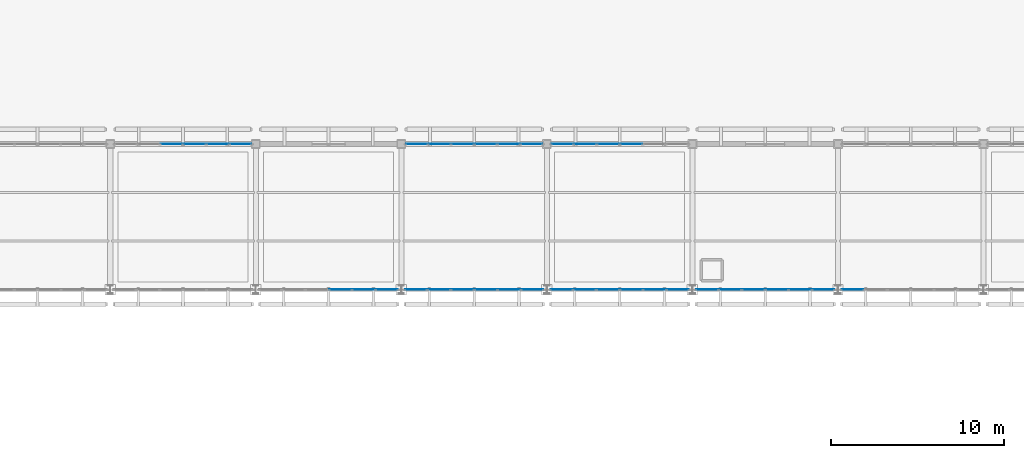
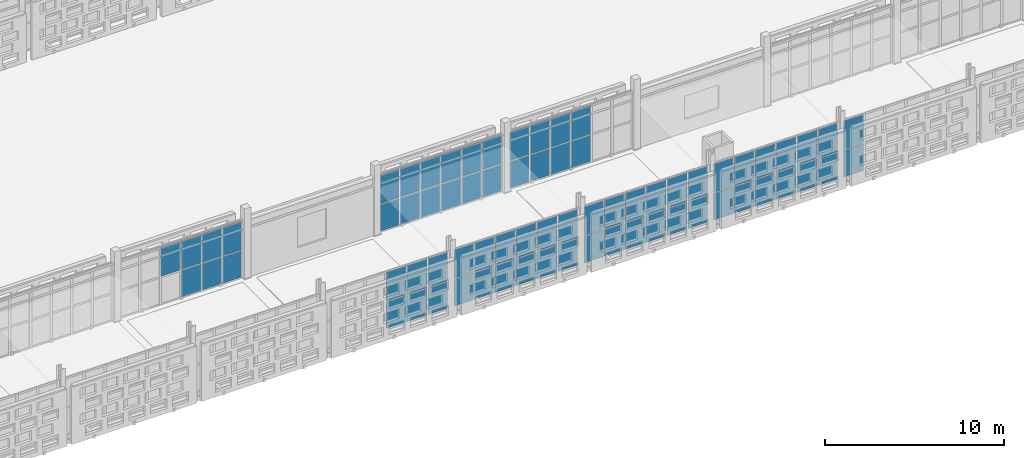
# One storey, part 98 of 203: 71 plates, 8 elements without a shape of their own.
"""IFC4 building model written with IfcOpenShell, lengths in metres."""

from ifc_helpers import new_model, si_unit, direction, frame, origin, origin_2d, place, context, subcontext, project, spatial, rectangle, extrude, material, layer, layer_set, type_object, element, aggregate, save


model = new_model("IFC4")

# Units and contexts
model_context = context("Model", 3, precision=1e-05, world=origin(), true_north=direction((0.0, 1.0)))
body_context = subcontext(model_context, "Body", "Model", "MODEL_VIEW")
ifc_project = project(units=[si_unit("LENGTHUNIT", "METRE"), si_unit("AREAUNIT", "SQUARE_METRE"), si_unit("VOLUMEUNIT", "CUBIC_METRE"), si_unit("PLANEANGLEUNIT", "RADIAN"), si_unit("MASSUNIT", "GRAM", prefix="KILO")], contexts=[model_context])

# Site, building, storey
site_placement = place(None, origin())
site = spatial("IfcSite", under=ifc_project, at=site_placement, CompositionType="ELEMENT")
building_placement = place(site_placement, origin())
building = spatial("IfcBuilding", under=site, at=building_placement, Name="Varnapada Polytechnic", CompositionType="ELEMENT")
storey_placement = place(building_placement, frame((0.0, 0.0, 4.800048828125)))
storey = spatial("IfcBuildingStorey", under=building, at=storey_placement, Name="L01", CompositionType="ELEMENT", Elevation=4.800048828125)

# Curtain wall, plates
ifc_material = material(Name="Double low-E laminated glass", Category="glass")
ifc_layer_1 = layer(ifc_material, 0.159912109375)
ifc_layer_set_1 = layer_set([ifc_layer_1], Name="Double low-E laminated glass")
curtain_wall_type_1 = type_object("IfcCurtainWallType", Name="Curtain Wall CW-02", PredefinedType="NOTDEFINED", material=ifc_layer_set_1)
curtain_wall_1_placement = place(storey_placement, origin())
curtain_wall_1 = element("IfcCurtainWall", 1, at=curtain_wall_1_placement, inside=storey, type_object=curtain_wall_type_1, Name="L01 unitised curtain wall CW-02 (63)", PredefinedType="NOTDEFINED")
ifc_layer_2 = layer(ifc_material, 0.028076171875)
ifc_layer_set_2 = layer_set([ifc_layer_2], Name="Double low-E laminated glass")
plate_type = type_object("IfcPlateType", Name="Curtain Panel PNL-01", PredefinedType="CURTAIN_PANEL", material=ifc_layer_set_2)
plate_1_placement = place(storey_placement, frame((70.735107421875, 92.39990234375, 1.9306640625), z_axis=(0.0, 0.0, 1.0), x_axis=(1.0, 0.0, 0.0)))
plate_1 = element("IfcPlate", 2, at=plate_1_placement, type_object=plate_type, Name="CW-02 panel 3.2", PredefinedType="CURTAIN_PANEL", context=body_context, shape_type="SweptSolid", body=[
    extrude(rectangle(XDim=1.27001953125, YDim=0.028076171875, at=origin_2d()), origin(), (0.0, 0.0, 1.0), 1.96923828125),
])
plate_2_placement = place(storey_placement, frame((72.06494140625, 92.39990234375, 0.06005859375), z_axis=(0.0, 0.0, 1.0), x_axis=(1.0, 0.0, 0.0)))
plate_2 = element("IfcPlate", 3, at=plate_2_placement, type_object=plate_type, Name="CW-02 panel 4.1", PredefinedType="CURTAIN_PANEL", context=body_context, shape_type="SweptSolid", body=[
    extrude(rectangle(XDim=1.27001953125, YDim=0.028076171875, at=origin_2d()), origin(), (0.0, 0.0, 1.0), 1.810791015625),
])
plate_3_placement = place(storey_placement, frame((72.06494140625, 92.39990234375, 1.9306640625), z_axis=(0.0, 0.0, 1.0), x_axis=(1.0, 0.0, 0.0)))
plate_3 = element("IfcPlate", 4, at=plate_3_placement, type_object=plate_type, Name="CW-02 panel 4.2", PredefinedType="CURTAIN_PANEL", context=body_context, shape_type="SweptSolid", body=[
    extrude(rectangle(XDim=1.27001953125, YDim=0.028076171875, at=origin_2d()), origin(), (0.0, 0.0, 1.0), 1.96923828125),
])
plate_4_placement = place(storey_placement, frame((73.39501953125, 92.39990234375, 0.06005859375), z_axis=(0.0, 0.0, 1.0), x_axis=(1.0, 0.0, 0.0)))
plate_4 = element("IfcPlate", 5, at=plate_4_placement, type_object=plate_type, Name="CW-02 panel 5.1", PredefinedType="CURTAIN_PANEL", context=body_context, shape_type="SweptSolid", body=[
    extrude(rectangle(XDim=1.27001953125, YDim=0.028076171875, at=origin_2d()), origin(), (0.0, 0.0, 1.0), 1.810791015625),
])
plate_5_placement = place(storey_placement, frame((73.39501953125, 92.39990234375, 1.9306640625), z_axis=(0.0, 0.0, 1.0), x_axis=(1.0, 0.0, 0.0)))
plate_5 = element("IfcPlate", 6, at=plate_5_placement, type_object=plate_type, Name="CW-02 panel 5.2", PredefinedType="CURTAIN_PANEL", context=body_context, shape_type="SweptSolid", body=[
    extrude(rectangle(XDim=1.27001953125, YDim=0.028076171875, at=origin_2d()), origin(), (0.0, 0.0, 1.0), 1.96923828125),
])
plate_6_placement = place(storey_placement, frame((74.7099609375, 92.39990234375, 0.06005859375), z_axis=(0.0, 0.0, 1.0), x_axis=(1.0, 0.0, 0.0)))
plate_6 = element("IfcPlate", 7, at=plate_6_placement, type_object=plate_type, Name="CW-02 panel 6.1", PredefinedType="CURTAIN_PANEL", context=body_context, shape_type="SweptSolid", body=[
    extrude(rectangle(XDim=1.239990234375, YDim=0.028076171875, at=origin_2d()), origin(), (0.0, 0.0, 1.0), 1.810791015625),
])
plate_7_placement = place(storey_placement, frame((74.7099609375, 92.39990234375, 1.9306640625), z_axis=(0.0, 0.0, 1.0), x_axis=(1.0, 0.0, 0.0)))
plate_7 = element("IfcPlate", 8, at=plate_7_placement, type_object=plate_type, Name="CW-02 panel 6.2", PredefinedType="CURTAIN_PANEL", context=body_context, shape_type="SweptSolid", body=[
    extrude(rectangle(XDim=1.239990234375, YDim=0.028076171875, at=origin_2d()), origin(), (0.0, 0.0, 1.0), 1.96923828125),
])
aggregate(curtain_wall_1, [plate_1, plate_2, plate_3, plate_4, plate_5, plate_6, plate_7])

ifc_layer_3 = layer(ifc_material, 0.159912109375)
ifc_layer_set_3 = layer_set([ifc_layer_3], Name="Double low-E laminated glass")
curtain_wall_type_2 = type_object("IfcCurtainWallType", Name="Curtain Wall CW-01", PredefinedType="NOTDEFINED", material=ifc_layer_set_3)
curtain_wall_2_placement = place(storey_placement, origin())
curtain_wall_2 = element("IfcCurtainWall", 9, at=curtain_wall_2_placement, inside=storey, type_object=curtain_wall_type_2, Name="L01 unitised curtain wall CW-01 (66)", PredefinedType="NOTDEFINED")
plate_8_placement = place(storey_placement, frame((83.159912109375, 84.0, 0.06005859375), z_axis=(0.0, 0.0, 1.0), x_axis=(-1.0, 0.0, 0.0)))
plate_8 = element("IfcPlate", 10, at=plate_8_placement, type_object=plate_type, Name="CW-01 panel 1.1", PredefinedType="CURTAIN_PANEL", context=body_context, shape_type="SweptSolid", body=[
    extrude(rectangle(XDim=1.260009765625, YDim=0.028076171875, at=origin_2d()), origin(), (0.0, 0.0, 1.0), 1.810791015625),
])
plate_9_placement = place(storey_placement, frame((83.159912109375, 84.0, 1.9306640625), z_axis=(0.0, 0.0, 1.0), x_axis=(-1.0, 0.0, 0.0)))
plate_9 = element("IfcPlate", 11, at=plate_9_placement, type_object=plate_type, Name="CW-01 panel 1.2", PredefinedType="CURTAIN_PANEL", context=body_context, shape_type="SweptSolid", body=[
    extrude(rectangle(XDim=1.260009765625, YDim=0.028076171875, at=origin_2d()), origin(), (0.0, 0.0, 1.0), 1.96923828125),
])
plate_10_placement = place(storey_placement, frame((81.824951171875, 84.0, 0.06005859375), z_axis=(0.0, 0.0, 1.0), x_axis=(-1.0, 0.0, 0.0)))
plate_10 = element("IfcPlate", 12, at=plate_10_placement, type_object=plate_type, Name="CW-01 panel 2.1", PredefinedType="CURTAIN_PANEL", context=body_context, shape_type="SweptSolid", body=[
    extrude(rectangle(XDim=1.2900390625, YDim=0.028076171875, at=origin_2d()), origin(), (0.0, 0.0, 1.0), 1.810791015625),
])
plate_11_placement = place(storey_placement, frame((81.824951171875, 84.0, 1.9306640625), z_axis=(0.0, 0.0, 1.0), x_axis=(-1.0, 0.0, 0.0)))
plate_11 = element("IfcPlate", 13, at=plate_11_placement, type_object=plate_type, Name="CW-01 panel 2.2", PredefinedType="CURTAIN_PANEL", context=body_context, shape_type="SweptSolid", body=[
    extrude(rectangle(XDim=1.2900390625, YDim=0.028076171875, at=origin_2d()), origin(), (0.0, 0.0, 1.0), 1.96923828125),
])
plate_12_placement = place(storey_placement, frame((80.47509765625, 84.0, 0.06005859375), z_axis=(0.0, 0.0, 1.0), x_axis=(-1.0, 0.0, 0.0)))
plate_12 = element("IfcPlate", 14, at=plate_12_placement, type_object=plate_type, Name="CW-01 panel 3.1", PredefinedType="CURTAIN_PANEL", context=body_context, shape_type="SweptSolid", body=[
    extrude(rectangle(XDim=1.2900390625, YDim=0.028076171875, at=origin_2d()), origin(), (0.0, 0.0, 1.0), 1.810791015625),
])
plate_13_placement = place(storey_placement, frame((80.47509765625, 84.0, 1.9306640625), z_axis=(0.0, 0.0, 1.0), x_axis=(-1.0, 0.0, 0.0)))
plate_13 = element("IfcPlate", 15, at=plate_13_placement, type_object=plate_type, Name="CW-01 panel 3.2", PredefinedType="CURTAIN_PANEL", context=body_context, shape_type="SweptSolid", body=[
    extrude(rectangle(XDim=1.2900390625, YDim=0.028076171875, at=origin_2d()), origin(), (0.0, 0.0, 1.0), 1.96923828125),
])
aggregate(curtain_wall_2, [plate_8, plate_9, plate_10, plate_11, plate_12, plate_13])

curtain_wall_3_placement = place(storey_placement, origin())
curtain_wall_3 = element("IfcCurtainWall", 16, at=curtain_wall_3_placement, inside=storey, type_object=curtain_wall_type_2, Name="L01 unitised curtain wall CW-01 (71)", PredefinedType="NOTDEFINED")
plate_14_placement = place(storey_placement, frame((91.56005859375, 84.0, 0.06005859375), z_axis=(0.0, 0.0, 1.0), x_axis=(-1.0, 0.0, 0.0)))
plate_14 = element("IfcPlate", 17, at=plate_14_placement, type_object=plate_type, Name="CW-01 panel 1.1", PredefinedType="CURTAIN_PANEL", context=body_context, shape_type="SweptSolid", body=[
    extrude(rectangle(XDim=1.260009765625, YDim=0.028076171875, at=origin_2d()), origin(), (0.0, 0.0, 1.0), 1.810791015625),
])
plate_15_placement = place(storey_placement, frame((91.56005859375, 84.0, 1.9306640625), z_axis=(0.0, 0.0, 1.0), x_axis=(-1.0, 0.0, 0.0)))
plate_15 = element("IfcPlate", 18, at=plate_15_placement, type_object=plate_type, Name="CW-01 panel 1.2", PredefinedType="CURTAIN_PANEL", context=body_context, shape_type="SweptSolid", body=[
    extrude(rectangle(XDim=1.260009765625, YDim=0.028076171875, at=origin_2d()), origin(), (0.0, 0.0, 1.0), 1.96923828125),
])
plate_16_placement = place(storey_placement, frame((90.22509765625, 84.0, 0.06005859375), z_axis=(0.0, 0.0, 1.0), x_axis=(-1.0, 0.0, 0.0)))
plate_16 = element("IfcPlate", 19, at=plate_16_placement, type_object=plate_type, Name="CW-01 panel 2.1", PredefinedType="CURTAIN_PANEL", context=body_context, shape_type="SweptSolid", body=[
    extrude(rectangle(XDim=1.2900390625, YDim=0.028076171875, at=origin_2d()), origin(), (0.0, 0.0, 1.0), 1.810791015625),
])
plate_17_placement = place(storey_placement, frame((90.22509765625, 84.0, 1.9306640625), z_axis=(0.0, 0.0, 1.0), x_axis=(-1.0, 0.0, 0.0)))
plate_17 = element("IfcPlate", 20, at=plate_17_placement, type_object=plate_type, Name="CW-01 panel 2.2", PredefinedType="CURTAIN_PANEL", context=body_context, shape_type="SweptSolid", body=[
    extrude(rectangle(XDim=1.2900390625, YDim=0.028076171875, at=origin_2d()), origin(), (0.0, 0.0, 1.0), 1.96923828125),
])
plate_18_placement = place(storey_placement, frame((88.875, 84.0, 0.06005859375), z_axis=(0.0, 0.0, 1.0), x_axis=(-1.0, 0.0, 0.0)))
plate_18 = element("IfcPlate", 21, at=plate_18_placement, type_object=plate_type, Name="CW-01 panel 3.1", PredefinedType="CURTAIN_PANEL", context=body_context, shape_type="SweptSolid", body=[
    extrude(rectangle(XDim=1.2900390625, YDim=0.028076171875, at=origin_2d()), origin(), (0.0, 0.0, 1.0), 1.810791015625),
])
plate_19_placement = place(storey_placement, frame((88.875, 84.0, 1.9306640625), z_axis=(0.0, 0.0, 1.0), x_axis=(-1.0, 0.0, 0.0)))
plate_19 = element("IfcPlate", 22, at=plate_19_placement, type_object=plate_type, Name="CW-01 panel 3.2", PredefinedType="CURTAIN_PANEL", context=body_context, shape_type="SweptSolid", body=[
    extrude(rectangle(XDim=1.2900390625, YDim=0.028076171875, at=origin_2d()), origin(), (0.0, 0.0, 1.0), 1.96923828125),
])
plate_20_placement = place(storey_placement, frame((87.52490234375, 84.0, 0.06005859375), z_axis=(0.0, 0.0, 1.0), x_axis=(-1.0, 0.0, 0.0)))
plate_20 = element("IfcPlate", 23, at=plate_20_placement, type_object=plate_type, Name="CW-01 panel 4.1", PredefinedType="CURTAIN_PANEL", context=body_context, shape_type="SweptSolid", body=[
    extrude(rectangle(XDim=1.2900390625, YDim=0.028076171875, at=origin_2d()), origin(), (0.0, 0.0, 1.0), 1.810791015625),
])
plate_21_placement = place(storey_placement, frame((87.52490234375, 84.0, 1.9306640625), z_axis=(0.0, 0.0, 1.0), x_axis=(-1.0, 0.0, 0.0)))
plate_21 = element("IfcPlate", 24, at=plate_21_placement, type_object=plate_type, Name="CW-01 panel 4.2", PredefinedType="CURTAIN_PANEL", context=body_context, shape_type="SweptSolid", body=[
    extrude(rectangle(XDim=1.2900390625, YDim=0.028076171875, at=origin_2d()), origin(), (0.0, 0.0, 1.0), 1.96923828125),
])
plate_22_placement = place(storey_placement, frame((86.175048828125, 84.0, 0.06005859375), z_axis=(0.0, 0.0, 1.0), x_axis=(-1.0, 0.0, 0.0)))
plate_22 = element("IfcPlate", 25, at=plate_22_placement, type_object=plate_type, Name="CW-01 panel 5.1", PredefinedType="CURTAIN_PANEL", context=body_context, shape_type="SweptSolid", body=[
    extrude(rectangle(XDim=1.2900390625, YDim=0.028076171875, at=origin_2d()), origin(), (0.0, 0.0, 1.0), 1.810791015625),
])
plate_23_placement = place(storey_placement, frame((86.175048828125, 84.0, 1.9306640625), z_axis=(0.0, 0.0, 1.0), x_axis=(-1.0, 0.0, 0.0)))
plate_23 = element("IfcPlate", 26, at=plate_23_placement, type_object=plate_type, Name="CW-01 panel 5.2", PredefinedType="CURTAIN_PANEL", context=body_context, shape_type="SweptSolid", body=[
    extrude(rectangle(XDim=1.2900390625, YDim=0.028076171875, at=origin_2d()), origin(), (0.0, 0.0, 1.0), 1.96923828125),
])
plate_24_placement = place(storey_placement, frame((84.840087890625, 84.0, 0.06005859375), z_axis=(0.0, 0.0, 1.0), x_axis=(-1.0, 0.0, 0.0)))
plate_24 = element("IfcPlate", 27, at=plate_24_placement, type_object=plate_type, Name="CW-01 panel 6.1", PredefinedType="CURTAIN_PANEL", context=body_context, shape_type="SweptSolid", body=[
    extrude(rectangle(XDim=1.260009765625, YDim=0.028076171875, at=origin_2d()), origin(), (0.0, 0.0, 1.0), 1.810791015625),
])
plate_25_placement = place(storey_placement, frame((84.840087890625, 84.0, 1.9306640625), z_axis=(0.0, 0.0, 1.0), x_axis=(-1.0, 0.0, 0.0)))
plate_25 = element("IfcPlate", 28, at=plate_25_placement, type_object=plate_type, Name="CW-01 panel 6.2", PredefinedType="CURTAIN_PANEL", context=body_context, shape_type="SweptSolid", body=[
    extrude(rectangle(XDim=1.260009765625, YDim=0.028076171875, at=origin_2d()), origin(), (0.0, 0.0, 1.0), 1.96923828125),
])
aggregate(curtain_wall_3, [plate_14, plate_15, plate_16, plate_17, plate_18, plate_19, plate_20, plate_21, plate_22, plate_23, plate_24, plate_25])

curtain_wall_4_placement = place(storey_placement, origin())
curtain_wall_4 = element("IfcCurtainWall", 29, at=curtain_wall_4_placement, inside=storey, type_object=curtain_wall_type_1, Name="L01 unitised curtain wall CW-02 (72)", PredefinedType="NOTDEFINED")
plate_26_placement = place(storey_placement, frame((84.889892578125, 92.39990234375, 0.06005859375), z_axis=(0.0, 0.0, 1.0), x_axis=(1.0, 0.0, 0.0)))
plate_26 = element("IfcPlate", 30, at=plate_26_placement, type_object=plate_type, Name="CW-02 panel 1.1", PredefinedType="CURTAIN_PANEL", context=body_context, shape_type="SweptSolid", body=[
    extrude(rectangle(XDim=1.239990234375, YDim=0.028076171875, at=origin_2d()), origin(), (0.0, 0.0, 1.0), 1.810791015625),
])
plate_27_placement = place(storey_placement, frame((84.889892578125, 92.39990234375, 1.9306640625), z_axis=(0.0, 0.0, 1.0), x_axis=(1.0, 0.0, 0.0)))
plate_27 = element("IfcPlate", 31, at=plate_27_placement, type_object=plate_type, Name="CW-02 panel 1.2", PredefinedType="CURTAIN_PANEL", context=body_context, shape_type="SweptSolid", body=[
    extrude(rectangle(XDim=1.239990234375, YDim=0.028076171875, at=origin_2d()), origin(), (0.0, 0.0, 1.0), 1.96923828125),
])
plate_28_placement = place(storey_placement, frame((86.205078125, 92.39990234375, 0.06005859375), z_axis=(0.0, 0.0, 1.0), x_axis=(1.0, 0.0, 0.0)))
plate_28 = element("IfcPlate", 32, at=plate_28_placement, type_object=plate_type, Name="CW-02 panel 2.1", PredefinedType="CURTAIN_PANEL", context=body_context, shape_type="SweptSolid", body=[
    extrude(rectangle(XDim=1.27001953125, YDim=0.028076171875, at=origin_2d()), origin(), (0.0, 0.0, 1.0), 1.810791015625),
])
plate_29_placement = place(storey_placement, frame((86.205078125, 92.39990234375, 1.9306640625), z_axis=(0.0, 0.0, 1.0), x_axis=(1.0, 0.0, 0.0)))
plate_29 = element("IfcPlate", 33, at=plate_29_placement, type_object=plate_type, Name="CW-02 panel 2.2", PredefinedType="CURTAIN_PANEL", context=body_context, shape_type="SweptSolid", body=[
    extrude(rectangle(XDim=1.27001953125, YDim=0.028076171875, at=origin_2d()), origin(), (0.0, 0.0, 1.0), 1.96923828125),
])
plate_30_placement = place(storey_placement, frame((87.534912109375, 92.39990234375, 0.06005859375), z_axis=(0.0, 0.0, 1.0), x_axis=(1.0, 0.0, 0.0)))
plate_30 = element("IfcPlate", 34, at=plate_30_placement, type_object=plate_type, Name="CW-02 panel 3.1", PredefinedType="CURTAIN_PANEL", context=body_context, shape_type="SweptSolid", body=[
    extrude(rectangle(XDim=1.27001953125, YDim=0.028076171875, at=origin_2d()), origin(), (0.0, 0.0, 1.0), 1.810791015625),
])
plate_31_placement = place(storey_placement, frame((87.534912109375, 92.39990234375, 1.9306640625), z_axis=(0.0, 0.0, 1.0), x_axis=(1.0, 0.0, 0.0)))
plate_31 = element("IfcPlate", 35, at=plate_31_placement, type_object=plate_type, Name="CW-02 panel 3.2", PredefinedType="CURTAIN_PANEL", context=body_context, shape_type="SweptSolid", body=[
    extrude(rectangle(XDim=1.27001953125, YDim=0.028076171875, at=origin_2d()), origin(), (0.0, 0.0, 1.0), 1.96923828125),
])
plate_32_placement = place(storey_placement, frame((88.864990234375, 92.39990234375, 0.06005859375), z_axis=(0.0, 0.0, 1.0), x_axis=(1.0, 0.0, 0.0)))
plate_32 = element("IfcPlate", 36, at=plate_32_placement, type_object=plate_type, Name="CW-02 panel 4.1", PredefinedType="CURTAIN_PANEL", context=body_context, shape_type="SweptSolid", body=[
    extrude(rectangle(XDim=1.27001953125, YDim=0.028076171875, at=origin_2d()), origin(), (0.0, 0.0, 1.0), 1.810791015625),
])
plate_33_placement = place(storey_placement, frame((88.864990234375, 92.39990234375, 1.9306640625), z_axis=(0.0, 0.0, 1.0), x_axis=(1.0, 0.0, 0.0)))
plate_33 = element("IfcPlate", 37, at=plate_33_placement, type_object=plate_type, Name="CW-02 panel 4.2", PredefinedType="CURTAIN_PANEL", context=body_context, shape_type="SweptSolid", body=[
    extrude(rectangle(XDim=1.27001953125, YDim=0.028076171875, at=origin_2d()), origin(), (0.0, 0.0, 1.0), 1.96923828125),
])
plate_34_placement = place(storey_placement, frame((90.195068359375, 92.39990234375, 0.06005859375), z_axis=(0.0, 0.0, 1.0), x_axis=(1.0, 0.0, 0.0)))
plate_34 = element("IfcPlate", 38, at=plate_34_placement, type_object=plate_type, Name="CW-02 panel 5.1", PredefinedType="CURTAIN_PANEL", context=body_context, shape_type="SweptSolid", body=[
    extrude(rectangle(XDim=1.27001953125, YDim=0.028076171875, at=origin_2d()), origin(), (0.0, 0.0, 1.0), 1.810791015625),
])
plate_35_placement = place(storey_placement, frame((90.195068359375, 92.39990234375, 1.9306640625), z_axis=(0.0, 0.0, 1.0), x_axis=(1.0, 0.0, 0.0)))
plate_35 = element("IfcPlate", 39, at=plate_35_placement, type_object=plate_type, Name="CW-02 panel 5.2", PredefinedType="CURTAIN_PANEL", context=body_context, shape_type="SweptSolid", body=[
    extrude(rectangle(XDim=1.27001953125, YDim=0.028076171875, at=origin_2d()), origin(), (0.0, 0.0, 1.0), 1.96923828125),
])
plate_36_placement = place(storey_placement, frame((91.510009765625, 92.39990234375, 0.06005859375), z_axis=(0.0, 0.0, 1.0), x_axis=(1.0, 0.0, 0.0)))
plate_36 = element("IfcPlate", 40, at=plate_36_placement, type_object=plate_type, Name="CW-02 panel 6.1", PredefinedType="CURTAIN_PANEL", context=body_context, shape_type="SweptSolid", body=[
    extrude(rectangle(XDim=1.239990234375, YDim=0.028076171875, at=origin_2d()), origin(), (0.0, 0.0, 1.0), 1.810791015625),
])
plate_37_placement = place(storey_placement, frame((91.510009765625, 92.39990234375, 1.9306640625), z_axis=(0.0, 0.0, 1.0), x_axis=(1.0, 0.0, 0.0)))
plate_37 = element("IfcPlate", 41, at=plate_37_placement, type_object=plate_type, Name="CW-02 panel 6.2", PredefinedType="CURTAIN_PANEL", context=body_context, shape_type="SweptSolid", body=[
    extrude(rectangle(XDim=1.239990234375, YDim=0.028076171875, at=origin_2d()), origin(), (0.0, 0.0, 1.0), 1.96923828125),
])
aggregate(curtain_wall_4, [plate_26, plate_27, plate_28, plate_29, plate_30, plate_31, plate_32, plate_33, plate_34, plate_35, plate_36, plate_37])

curtain_wall_5_placement = place(storey_placement, origin())
curtain_wall_5 = element("IfcCurtainWall", 42, at=curtain_wall_5_placement, inside=storey, type_object=curtain_wall_type_2, Name="L01 unitised curtain wall CW-01 (76)", PredefinedType="NOTDEFINED")
plate_38_placement = place(storey_placement, frame((99.9599609375, 84.0, 0.06005859375), z_axis=(0.0, 0.0, 1.0), x_axis=(-1.0, 0.0, 0.0)))
plate_38 = element("IfcPlate", 43, at=plate_38_placement, type_object=plate_type, Name="CW-01 panel 1.1", PredefinedType="CURTAIN_PANEL", context=body_context, shape_type="SweptSolid", body=[
    extrude(rectangle(XDim=1.260009765625, YDim=0.028076171875, at=origin_2d()), origin(), (0.0, 0.0, 1.0), 1.810791015625),
])
plate_39_placement = place(storey_placement, frame((99.9599609375, 84.0, 1.9306640625), z_axis=(0.0, 0.0, 1.0), x_axis=(-1.0, 0.0, 0.0)))
plate_39 = element("IfcPlate", 44, at=plate_39_placement, type_object=plate_type, Name="CW-01 panel 1.2", PredefinedType="CURTAIN_PANEL", context=body_context, shape_type="SweptSolid", body=[
    extrude(rectangle(XDim=1.260009765625, YDim=0.028076171875, at=origin_2d()), origin(), (0.0, 0.0, 1.0), 1.96923828125),
])
plate_40_placement = place(storey_placement, frame((98.625, 84.0, 0.06005859375), z_axis=(0.0, 0.0, 1.0), x_axis=(-1.0, 0.0, 0.0)))
plate_40 = element("IfcPlate", 45, at=plate_40_placement, type_object=plate_type, Name="CW-01 panel 2.1", PredefinedType="CURTAIN_PANEL", context=body_context, shape_type="SweptSolid", body=[
    extrude(rectangle(XDim=1.2900390625, YDim=0.028076171875, at=origin_2d()), origin(), (0.0, 0.0, 1.0), 1.810791015625),
])
plate_41_placement = place(storey_placement, frame((98.625, 84.0, 1.9306640625), z_axis=(0.0, 0.0, 1.0), x_axis=(-1.0, 0.0, 0.0)))
plate_41 = element("IfcPlate", 46, at=plate_41_placement, type_object=plate_type, Name="CW-01 panel 2.2", PredefinedType="CURTAIN_PANEL", context=body_context, shape_type="SweptSolid", body=[
    extrude(rectangle(XDim=1.2900390625, YDim=0.028076171875, at=origin_2d()), origin(), (0.0, 0.0, 1.0), 1.96923828125),
])
plate_42_placement = place(storey_placement, frame((97.27490234375, 84.0, 0.06005859375), z_axis=(0.0, 0.0, 1.0), x_axis=(-1.0, 0.0, 0.0)))
plate_42 = element("IfcPlate", 47, at=plate_42_placement, type_object=plate_type, Name="CW-01 panel 3.1", PredefinedType="CURTAIN_PANEL", context=body_context, shape_type="SweptSolid", body=[
    extrude(rectangle(XDim=1.2900390625, YDim=0.028076171875, at=origin_2d()), origin(), (0.0, 0.0, 1.0), 1.810791015625),
])
plate_43_placement = place(storey_placement, frame((97.27490234375, 84.0, 1.9306640625), z_axis=(0.0, 0.0, 1.0), x_axis=(-1.0, 0.0, 0.0)))
plate_43 = element("IfcPlate", 48, at=plate_43_placement, type_object=plate_type, Name="CW-01 panel 3.2", PredefinedType="CURTAIN_PANEL", context=body_context, shape_type="SweptSolid", body=[
    extrude(rectangle(XDim=1.2900390625, YDim=0.028076171875, at=origin_2d()), origin(), (0.0, 0.0, 1.0), 1.96923828125),
])
plate_44_placement = place(storey_placement, frame((95.925048828125, 84.0, 0.06005859375), z_axis=(0.0, 0.0, 1.0), x_axis=(-1.0, 0.0, 0.0)))
plate_44 = element("IfcPlate", 49, at=plate_44_placement, type_object=plate_type, Name="CW-01 panel 4.1", PredefinedType="CURTAIN_PANEL", context=body_context, shape_type="SweptSolid", body=[
    extrude(rectangle(XDim=1.2900390625, YDim=0.028076171875, at=origin_2d()), origin(), (0.0, 0.0, 1.0), 1.810791015625),
])
plate_45_placement = place(storey_placement, frame((95.925048828125, 84.0, 1.9306640625), z_axis=(0.0, 0.0, 1.0), x_axis=(-1.0, 0.0, 0.0)))
plate_45 = element("IfcPlate", 50, at=plate_45_placement, type_object=plate_type, Name="CW-01 panel 4.2", PredefinedType="CURTAIN_PANEL", context=body_context, shape_type="SweptSolid", body=[
    extrude(rectangle(XDim=1.2900390625, YDim=0.028076171875, at=origin_2d()), origin(), (0.0, 0.0, 1.0), 1.96923828125),
])
plate_46_placement = place(storey_placement, frame((94.574951171875, 84.0, 0.06005859375), z_axis=(0.0, 0.0, 1.0), x_axis=(-1.0, 0.0, 0.0)))
plate_46 = element("IfcPlate", 51, at=plate_46_placement, type_object=plate_type, Name="CW-01 panel 5.1", PredefinedType="CURTAIN_PANEL", context=body_context, shape_type="SweptSolid", body=[
    extrude(rectangle(XDim=1.2900390625, YDim=0.028076171875, at=origin_2d()), origin(), (0.0, 0.0, 1.0), 1.810791015625),
])
plate_47_placement = place(storey_placement, frame((94.574951171875, 84.0, 1.9306640625), z_axis=(0.0, 0.0, 1.0), x_axis=(-1.0, 0.0, 0.0)))
plate_47 = element("IfcPlate", 52, at=plate_47_placement, type_object=plate_type, Name="CW-01 panel 5.2", PredefinedType="CURTAIN_PANEL", context=body_context, shape_type="SweptSolid", body=[
    extrude(rectangle(XDim=1.2900390625, YDim=0.028076171875, at=origin_2d()), origin(), (0.0, 0.0, 1.0), 1.96923828125),
])
plate_48_placement = place(storey_placement, frame((93.239990234375, 84.0, 0.06005859375), z_axis=(0.0, 0.0, 1.0), x_axis=(-1.0, 0.0, 0.0)))
plate_48 = element("IfcPlate", 53, at=plate_48_placement, type_object=plate_type, Name="CW-01 panel 6.1", PredefinedType="CURTAIN_PANEL", context=body_context, shape_type="SweptSolid", body=[
    extrude(rectangle(XDim=1.260009765625, YDim=0.028076171875, at=origin_2d()), origin(), (0.0, 0.0, 1.0), 1.810791015625),
])
plate_49_placement = place(storey_placement, frame((93.239990234375, 84.0, 1.9306640625), z_axis=(0.0, 0.0, 1.0), x_axis=(-1.0, 0.0, 0.0)))
plate_49 = element("IfcPlate", 54, at=plate_49_placement, type_object=plate_type, Name="CW-01 panel 6.2", PredefinedType="CURTAIN_PANEL", context=body_context, shape_type="SweptSolid", body=[
    extrude(rectangle(XDim=1.260009765625, YDim=0.028076171875, at=origin_2d()), origin(), (0.0, 0.0, 1.0), 1.96923828125),
])
aggregate(curtain_wall_5, [plate_38, plate_39, plate_40, plate_41, plate_42, plate_43, plate_44, plate_45, plate_46, plate_47, plate_48, plate_49])

curtain_wall_6_placement = place(storey_placement, origin())
curtain_wall_6 = element("IfcCurtainWall", 55, at=curtain_wall_6_placement, inside=storey, type_object=curtain_wall_type_1, Name="L01 unitised curtain wall CW-02 (77)", PredefinedType="NOTDEFINED")
plate_50_placement = place(storey_placement, frame((93.2900390625, 92.39990234375, 0.06005859375), z_axis=(0.0, 0.0, 1.0), x_axis=(1.0, 0.0, 0.0)))
plate_50 = element("IfcPlate", 56, at=plate_50_placement, type_object=plate_type, Name="CW-02 panel 1.1", PredefinedType="CURTAIN_PANEL", context=body_context, shape_type="SweptSolid", body=[
    extrude(rectangle(XDim=1.239990234375, YDim=0.028076171875, at=origin_2d()), origin(), (0.0, 0.0, 1.0), 1.810791015625),
])
plate_51_placement = place(storey_placement, frame((93.2900390625, 92.39990234375, 1.9306640625), z_axis=(0.0, 0.0, 1.0), x_axis=(1.0, 0.0, 0.0)))
plate_51 = element("IfcPlate", 57, at=plate_51_placement, type_object=plate_type, Name="CW-02 panel 1.2", PredefinedType="CURTAIN_PANEL", context=body_context, shape_type="SweptSolid", body=[
    extrude(rectangle(XDim=1.239990234375, YDim=0.028076171875, at=origin_2d()), origin(), (0.0, 0.0, 1.0), 1.96923828125),
])
plate_52_placement = place(storey_placement, frame((94.60498046875, 92.39990234375, 0.06005859375), z_axis=(0.0, 0.0, 1.0), x_axis=(1.0, 0.0, 0.0)))
plate_52 = element("IfcPlate", 58, at=plate_52_placement, type_object=plate_type, Name="CW-02 panel 2.1", PredefinedType="CURTAIN_PANEL", context=body_context, shape_type="SweptSolid", body=[
    extrude(rectangle(XDim=1.27001953125, YDim=0.028076171875, at=origin_2d()), origin(), (0.0, 0.0, 1.0), 1.810791015625),
])
plate_53_placement = place(storey_placement, frame((94.60498046875, 92.39990234375, 1.9306640625), z_axis=(0.0, 0.0, 1.0), x_axis=(1.0, 0.0, 0.0)))
plate_53 = element("IfcPlate", 59, at=plate_53_placement, type_object=plate_type, Name="CW-02 panel 2.2", PredefinedType="CURTAIN_PANEL", context=body_context, shape_type="SweptSolid", body=[
    extrude(rectangle(XDim=1.27001953125, YDim=0.028076171875, at=origin_2d()), origin(), (0.0, 0.0, 1.0), 1.96923828125),
])
plate_54_placement = place(storey_placement, frame((95.93505859375, 92.39990234375, 0.06005859375), z_axis=(0.0, 0.0, 1.0), x_axis=(1.0, 0.0, 0.0)))
plate_54 = element("IfcPlate", 60, at=plate_54_placement, type_object=plate_type, Name="CW-02 panel 3.1", PredefinedType="CURTAIN_PANEL", context=body_context, shape_type="SweptSolid", body=[
    extrude(rectangle(XDim=1.27001953125, YDim=0.028076171875, at=origin_2d()), origin(), (0.0, 0.0, 1.0), 1.810791015625),
])
plate_55_placement = place(storey_placement, frame((95.93505859375, 92.39990234375, 1.9306640625), z_axis=(0.0, 0.0, 1.0), x_axis=(1.0, 0.0, 0.0)))
plate_55 = element("IfcPlate", 61, at=plate_55_placement, type_object=plate_type, Name="CW-02 panel 3.2", PredefinedType="CURTAIN_PANEL", context=body_context, shape_type="SweptSolid", body=[
    extrude(rectangle(XDim=1.27001953125, YDim=0.028076171875, at=origin_2d()), origin(), (0.0, 0.0, 1.0), 1.96923828125),
])
plate_56_placement = place(storey_placement, frame((97.264892578125, 92.39990234375, 0.06005859375), z_axis=(0.0, 0.0, 1.0), x_axis=(1.0, 0.0, 0.0)))
plate_56 = element("IfcPlate", 62, at=plate_56_placement, type_object=plate_type, Name="CW-02 panel 4.1", PredefinedType="CURTAIN_PANEL", context=body_context, shape_type="SweptSolid", body=[
    extrude(rectangle(XDim=1.27001953125, YDim=0.028076171875, at=origin_2d()), origin(), (0.0, 0.0, 1.0), 1.810791015625),
])
plate_57_placement = place(storey_placement, frame((97.264892578125, 92.39990234375, 1.9306640625), z_axis=(0.0, 0.0, 1.0), x_axis=(1.0, 0.0, 0.0)))
plate_57 = element("IfcPlate", 63, at=plate_57_placement, type_object=plate_type, Name="CW-02 panel 4.2", PredefinedType="CURTAIN_PANEL", context=body_context, shape_type="SweptSolid", body=[
    extrude(rectangle(XDim=1.27001953125, YDim=0.028076171875, at=origin_2d()), origin(), (0.0, 0.0, 1.0), 1.96923828125),
])
aggregate(curtain_wall_6, [plate_50, plate_51, plate_52, plate_53, plate_54, plate_55, plate_56, plate_57])

curtain_wall_7_placement = place(storey_placement, origin())
curtain_wall_7 = element("IfcCurtainWall", 64, at=curtain_wall_7_placement, inside=storey, type_object=curtain_wall_type_2, Name="L01 unitised curtain wall CW-01 (80)", PredefinedType="NOTDEFINED")
plate_58_placement = place(storey_placement, frame((108.360107421875, 84.0, 0.06005859375), z_axis=(0.0, 0.0, 1.0), x_axis=(-1.0, 0.0, 0.0)))
plate_58 = element("IfcPlate", 65, at=plate_58_placement, type_object=plate_type, Name="CW-01 panel 1.1", PredefinedType="CURTAIN_PANEL", context=body_context, shape_type="SweptSolid", body=[
    extrude(rectangle(XDim=1.260009765625, YDim=0.028076171875, at=origin_2d()), origin(), (0.0, 0.0, 1.0), 1.810791015625),
])
plate_59_placement = place(storey_placement, frame((108.360107421875, 84.0, 1.9306640625), z_axis=(0.0, 0.0, 1.0), x_axis=(-1.0, 0.0, 0.0)))
plate_59 = element("IfcPlate", 66, at=plate_59_placement, type_object=plate_type, Name="CW-01 panel 1.2", PredefinedType="CURTAIN_PANEL", context=body_context, shape_type="SweptSolid", body=[
    extrude(rectangle(XDim=1.260009765625, YDim=0.028076171875, at=origin_2d()), origin(), (0.0, 0.0, 1.0), 1.96923828125),
])
plate_60_placement = place(storey_placement, frame((107.02490234375, 84.0, 0.06005859375), z_axis=(0.0, 0.0, 1.0), x_axis=(-1.0, 0.0, 0.0)))
plate_60 = element("IfcPlate", 67, at=plate_60_placement, type_object=plate_type, Name="CW-01 panel 2.1", PredefinedType="CURTAIN_PANEL", context=body_context, shape_type="SweptSolid", body=[
    extrude(rectangle(XDim=1.2900390625, YDim=0.028076171875, at=origin_2d()), origin(), (0.0, 0.0, 1.0), 1.810791015625),
])
plate_61_placement = place(storey_placement, frame((107.02490234375, 84.0, 1.9306640625), z_axis=(0.0, 0.0, 1.0), x_axis=(-1.0, 0.0, 0.0)))
plate_61 = element("IfcPlate", 68, at=plate_61_placement, type_object=plate_type, Name="CW-01 panel 2.2", PredefinedType="CURTAIN_PANEL", context=body_context, shape_type="SweptSolid", body=[
    extrude(rectangle(XDim=1.2900390625, YDim=0.028076171875, at=origin_2d()), origin(), (0.0, 0.0, 1.0), 1.96923828125),
])
plate_62_placement = place(storey_placement, frame((105.675048828125, 84.0, 0.06005859375), z_axis=(0.0, 0.0, 1.0), x_axis=(-1.0, 0.0, 0.0)))
plate_62 = element("IfcPlate", 69, at=plate_62_placement, type_object=plate_type, Name="CW-01 panel 3.1", PredefinedType="CURTAIN_PANEL", context=body_context, shape_type="SweptSolid", body=[
    extrude(rectangle(XDim=1.2900390625, YDim=0.028076171875, at=origin_2d()), origin(), (0.0, 0.0, 1.0), 1.810791015625),
])
plate_63_placement = place(storey_placement, frame((105.675048828125, 84.0, 1.9306640625), z_axis=(0.0, 0.0, 1.0), x_axis=(-1.0, 0.0, 0.0)))
plate_63 = element("IfcPlate", 70, at=plate_63_placement, type_object=plate_type, Name="CW-01 panel 3.2", PredefinedType="CURTAIN_PANEL", context=body_context, shape_type="SweptSolid", body=[
    extrude(rectangle(XDim=1.2900390625, YDim=0.028076171875, at=origin_2d()), origin(), (0.0, 0.0, 1.0), 1.96923828125),
])
plate_64_placement = place(storey_placement, frame((104.324951171875, 84.0, 0.06005859375), z_axis=(0.0, 0.0, 1.0), x_axis=(-1.0, 0.0, 0.0)))
plate_64 = element("IfcPlate", 71, at=plate_64_placement, type_object=plate_type, Name="CW-01 panel 4.1", PredefinedType="CURTAIN_PANEL", context=body_context, shape_type="SweptSolid", body=[
    extrude(rectangle(XDim=1.2900390625, YDim=0.028076171875, at=origin_2d()), origin(), (0.0, 0.0, 1.0), 1.810791015625),
])
plate_65_placement = place(storey_placement, frame((104.324951171875, 84.0, 1.9306640625), z_axis=(0.0, 0.0, 1.0), x_axis=(-1.0, 0.0, 0.0)))
plate_65 = element("IfcPlate", 72, at=plate_65_placement, type_object=plate_type, Name="CW-01 panel 4.2", PredefinedType="CURTAIN_PANEL", context=body_context, shape_type="SweptSolid", body=[
    extrude(rectangle(XDim=1.2900390625, YDim=0.028076171875, at=origin_2d()), origin(), (0.0, 0.0, 1.0), 1.96923828125),
])
plate_66_placement = place(storey_placement, frame((102.97509765625, 84.0, 0.06005859375), z_axis=(0.0, 0.0, 1.0), x_axis=(-1.0, 0.0, 0.0)))
plate_66 = element("IfcPlate", 73, at=plate_66_placement, type_object=plate_type, Name="CW-01 panel 5.1", PredefinedType="CURTAIN_PANEL", context=body_context, shape_type="SweptSolid", body=[
    extrude(rectangle(XDim=1.2900390625, YDim=0.028076171875, at=origin_2d()), origin(), (0.0, 0.0, 1.0), 1.810791015625),
])
plate_67_placement = place(storey_placement, frame((102.97509765625, 84.0, 1.9306640625), z_axis=(0.0, 0.0, 1.0), x_axis=(-1.0, 0.0, 0.0)))
plate_67 = element("IfcPlate", 74, at=plate_67_placement, type_object=plate_type, Name="CW-01 panel 5.2", PredefinedType="CURTAIN_PANEL", context=body_context, shape_type="SweptSolid", body=[
    extrude(rectangle(XDim=1.2900390625, YDim=0.028076171875, at=origin_2d()), origin(), (0.0, 0.0, 1.0), 1.96923828125),
])
plate_68_placement = place(storey_placement, frame((101.639892578125, 84.0, 0.06005859375), z_axis=(0.0, 0.0, 1.0), x_axis=(-1.0, 0.0, 0.0)))
plate_68 = element("IfcPlate", 75, at=plate_68_placement, type_object=plate_type, Name="CW-01 panel 6.1", PredefinedType="CURTAIN_PANEL", context=body_context, shape_type="SweptSolid", body=[
    extrude(rectangle(XDim=1.260009765625, YDim=0.028076171875, at=origin_2d()), origin(), (0.0, 0.0, 1.0), 1.810791015625),
])
plate_69_placement = place(storey_placement, frame((101.639892578125, 84.0, 1.9306640625), z_axis=(0.0, 0.0, 1.0), x_axis=(-1.0, 0.0, 0.0)))
plate_69 = element("IfcPlate", 76, at=plate_69_placement, type_object=plate_type, Name="CW-01 panel 6.2", PredefinedType="CURTAIN_PANEL", context=body_context, shape_type="SweptSolid", body=[
    extrude(rectangle(XDim=1.260009765625, YDim=0.028076171875, at=origin_2d()), origin(), (0.0, 0.0, 1.0), 1.96923828125),
])
aggregate(curtain_wall_7, [plate_58, plate_59, plate_60, plate_61, plate_62, plate_63, plate_64, plate_65, plate_66, plate_67, plate_68, plate_69])

curtain_wall_8_placement = place(storey_placement, origin())
curtain_wall_8 = element("IfcCurtainWall", 77, at=curtain_wall_8_placement, inside=storey, type_object=curtain_wall_type_2, Name="L01 unitised curtain wall CW-01 (85)", PredefinedType="NOTDEFINED")
plate_70_placement = place(storey_placement, frame((110.0400390625, 84.0, 0.06005859375), z_axis=(0.0, 0.0, 1.0), x_axis=(-1.0, 0.0, 0.0)))
plate_70 = element("IfcPlate", 78, at=plate_70_placement, type_object=plate_type, Name="CW-01 panel 6.1", PredefinedType="CURTAIN_PANEL", context=body_context, shape_type="SweptSolid", body=[
    extrude(rectangle(XDim=1.260009765625, YDim=0.028076171875, at=origin_2d()), origin(), (0.0, 0.0, 1.0), 1.810791015625),
])
plate_71_placement = place(storey_placement, frame((110.0400390625, 84.0, 1.9306640625), z_axis=(0.0, 0.0, 1.0), x_axis=(-1.0, 0.0, 0.0)))
plate_71 = element("IfcPlate", 79, at=plate_71_placement, type_object=plate_type, Name="CW-01 panel 6.2", PredefinedType="CURTAIN_PANEL", context=body_context, shape_type="SweptSolid", body=[
    extrude(rectangle(XDim=1.260009765625, YDim=0.028076171875, at=origin_2d()), origin(), (0.0, 0.0, 1.0), 1.96923828125),
])
aggregate(curtain_wall_8, [plate_70, plate_71])

save(model, "model.ifc")
